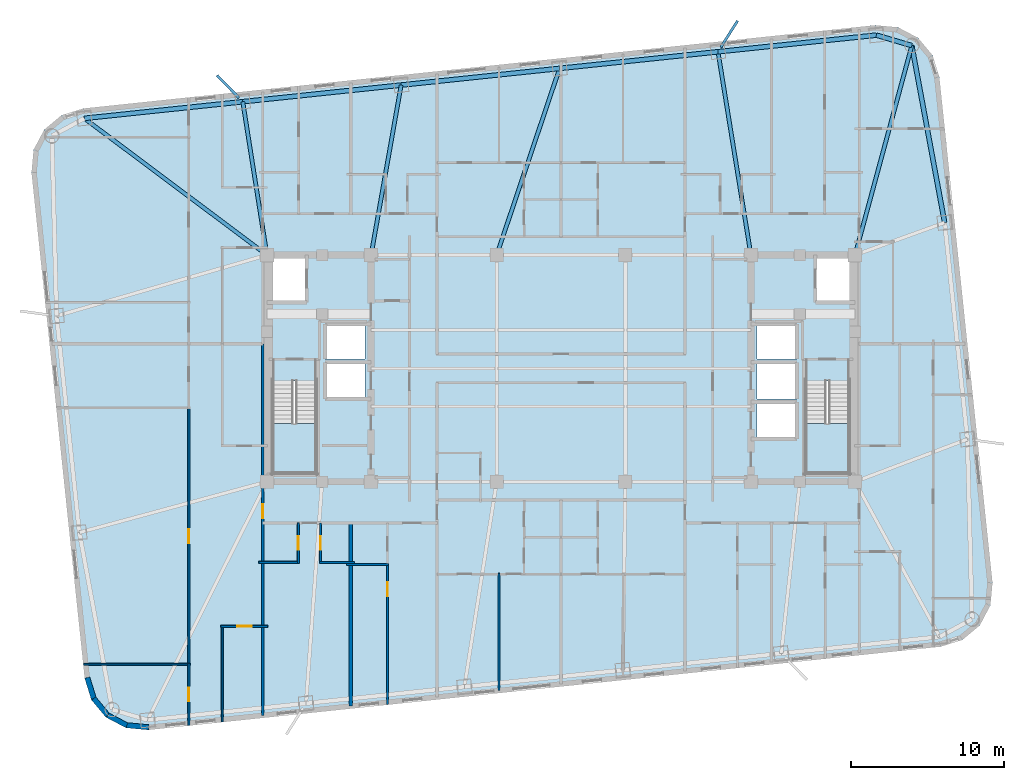
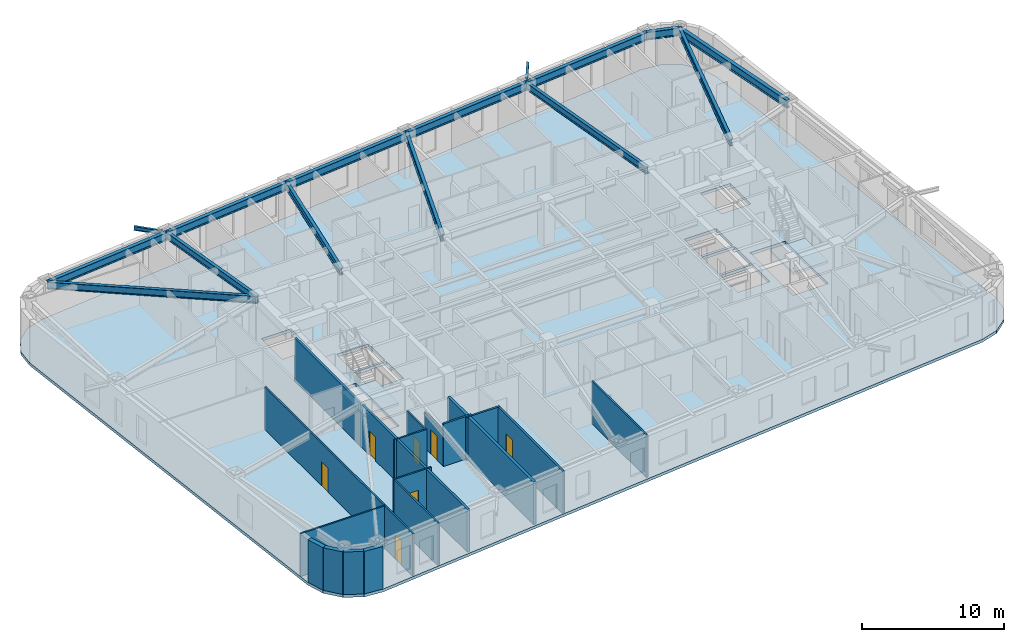
# One storey, part 2 of 12: 18 walls, 15 beams, 7 doors, 3 slabs, 7 openings, 2 elements without a shape of their own.
"""IFC4 building model written with IfcOpenShell, lengths in metres."""

from ifc_helpers import new_model, si_unit, direction, frame, frame_2d, origin, origin_2d, place, context, subcontext, project, spatial, polyline, rectangle, i_section, outline, extrude, material, layer, layer_set, material_profile, profile_set, type_object, element, fill, aggregate, save


model = new_model("IFC4")

# Units and contexts
model_context = context("Model", 3, precision=1e-05, world=origin(), true_north=direction((0.0, 1.0)))
body_context = subcontext(model_context, "Body", "Model", "MODEL_VIEW")
ifc_project = project(units=[si_unit("LENGTHUNIT", "METRE"), si_unit("AREAUNIT", "SQUARE_METRE"), si_unit("VOLUMEUNIT", "CUBIC_METRE"), si_unit("PLANEANGLEUNIT", "RADIAN"), si_unit("MASSUNIT", "GRAM", prefix="KILO")], contexts=[model_context])

# Site, building, storey
site_placement = place(None, origin())
site = spatial("IfcSite", under=ifc_project, at=site_placement, CompositionType="ELEMENT")
building_placement = place(site_placement, origin())
building = spatial("IfcBuilding", under=site, at=building_placement, Name="Voryun Gate Residences", CompositionType="ELEMENT")
storey_placement = place(building_placement, frame((0.0, 0.0, 167.699951171875)))
storey = spatial("IfcBuildingStorey", under=building, at=storey_placement, Name="L41", CompositionType="ELEMENT", Elevation=167.699951171875)

# Beams
ifc_material_1 = material(Name="Steel SM355", Category="steel")
ifc_material_profile_1 = material_profile(ifc_material_1, i_section(OverallWidth=0.169921875, OverallDepth=0.340087890625, WebThickness=0.008056640625, FlangeThickness=0.013916015625, FilletRadius=0.01806640625, at=origin_2d()), Name="H-340x170x8x14")
ifc_profile_set_1 = profile_set([ifc_material_profile_1], Name="Steel SM355")
beam_type_1 = type_object("IfcBeamType", Name="BM_BALC_EDGE", PredefinedType="JOIST", material=ifc_profile_set_1)
beam_1_placement = place(storey_placement, frame((10.437255859375, 20.96826171875, 3.47998046875), z_axis=(0.534391732666, 0.845236934864, 0.0), x_axis=(-0.845236934864, 0.534391732666, 0.0)))
element("IfcBeam", 1, at=beam_1_placement, inside=storey, type_object=beam_type_1, Name="BM-L41-BALBRK-N2", PredefinedType="JOIST", context=body_context, shape_type="SweptSolid", body=[
    extrude(i_section(OverallWidth=0.169921875, OverallDepth=0.340087890625, WebThickness=0.008056640625, FlangeThickness=0.013916015625, FilletRadius=0.01806640625, at=origin_2d()), origin(), (0.0, 0.0, 1.0), 2.0498046875),
])
beam_2_placement = place(storey_placement, frame((-21.0234375, 17.66162109375, 3.47998046875), z_axis=(-0.698480097279, 0.715629480741, 0.0), x_axis=(-0.715629480741, -0.698480097279, 0.0)))
element("IfcBeam", 2, at=beam_2_placement, inside=storey, type_object=beam_type_1, Name="BM-L41-BALBRK-N5", PredefinedType="JOIST", context=body_context, shape_type="SweptSolid", body=[
    extrude(i_section(OverallWidth=0.169921875, OverallDepth=0.340087890625, WebThickness=0.008056640625, FlangeThickness=0.013916015625, FilletRadius=0.01806640625, at=origin_2d()), origin(), (0.0, 0.0, 1.0), 2.050048828125),
])
ifc_material_2 = material(Name="Steel SM355", Category="steel")
ifc_material_profile_2 = material_profile(ifc_material_2, i_section(OverallWidth=0.300048828125, OverallDepth=0.679931640625, WebThickness=0.013916015625, FlangeThickness=0.02490234375, FilletRadius=0.01806640625, at=origin_2d()), Name="H-680x300x14x25")
ifc_profile_set_2 = profile_set([ifc_material_profile_2], Name="Steel SM355")
beam_type_2 = type_object("IfcBeamType", Name="BM_EXO_SPANDREL_M", PredefinedType="SPANDREL", material=ifc_profile_set_2)
beam_3_placement = place(storey_placement, frame((25.047119140625, 9.51806640625, 3.31005859375), z_axis=(-0.182267768769, 0.983248931079, 0.0), x_axis=(-0.983248931079, -0.182267768769, 0.0)))
element("IfcBeam", 3, at=beam_3_placement, inside=storey, type_object=beam_type_2, Name="BM-L41-SPAND-09", PredefinedType="SPANDREL", context=body_context, shape_type="SweptSolid", body=[
    extrude(i_section(OverallWidth=0.300048828125, OverallDepth=0.679931640625, WebThickness=0.013916015625, FlangeThickness=0.02490234375, FilletRadius=0.01806640625, at=origin_2d()), origin(), (0.0, 0.0, 1.0), 11.753662109375),
])
beam_4_placement = place(storey_placement, frame((22.90478515625, 21.074951171875, 3.31005859375), z_axis=(-0.958843048967, 0.283936625758, 0.0), x_axis=(-0.283936625758, -0.958843048967, 0.0)))
element("IfcBeam", 4, at=beam_4_placement, inside=storey, type_object=beam_type_2, Name="BM-L41-SPAND-10", PredefinedType="SPANDREL", context=body_context, shape_type="SweptSolid", body=[
    extrude(i_section(OverallWidth=0.300048828125, OverallDepth=0.679931640625, WebThickness=0.013916015625, FlangeThickness=0.02490234375, FilletRadius=0.01806640625, at=origin_2d()), origin(), (0.0, 0.0, 1.0), 2.410888671875),
])
for number, where, z_axis, x_axis, name in (
    (5, (20.593017578125, 21.759521484375, 3.31005859375), (-0.994521263116, -0.104534478571, 0.0), (0.104534478571, -0.994521263116, 0.0), "BM-L41-SPAND-11"),
    (6, (10.25, 20.67236328125, 3.31005859375), (-0.99452370336, -0.10451125994, 0.0), (0.10451125994, -0.99452370336, 0.0), "BM-L41-SPAND-12"),
    (7, (-0.093017578125, 19.58544921875, 3.31005859375), (-0.994521263116, -0.104534478571, 0.0), (0.104534478571, -0.994521263116, 0.0), "BM-L41-SPAND-13"),
    (8, (-10.43603515625, 18.498291015625, 3.31005859375), (-0.994521263116, -0.104534478571, 0.0), (0.104534478571, -0.994521263116, 0.0), "BM-L41-SPAND-14"),
    (9, (-20.779052734375, 17.4111328125, 3.31005859375), (-0.994521263116, -0.104534478571, 0.0), (0.104534478571, -0.994521263116, 0.0), "BM-L41-SPAND-15"),
):
    element("IfcBeam", number, at=place(storey_placement, frame(where, z_axis=z_axis, x_axis=x_axis)), inside=storey, type_object=beam_type_2, Name=name, PredefinedType="SPANDREL", context=body_context, shape_type="SweptSolid", body=[
        extrude(i_section(OverallWidth=0.300048828125, OverallDepth=0.679931640625, WebThickness=0.013916015625, FlangeThickness=0.02490234375, FilletRadius=0.01806640625, at=origin_2d()), origin(), (0.0, 0.0, 1.0), 10.39990234375),
    ])
ifc_material_3 = material(Name="Steel SM355", Category="steel")
ifc_material_profile_3 = material_profile(ifc_material_3, i_section(OverallWidth=0.25, OverallDepth=0.60009765625, WebThickness=0.011962890625, FlangeThickness=0.02197265625, FilletRadius=0.01806640625, at=origin_2d()), Name="H-600x250x12x22")
ifc_profile_set_3 = profile_set([ifc_material_profile_3], Name="Steel SM355")
beam_type_3 = type_object("IfcBeamType", Name="BM_GIRD_600", PredefinedType="USERDEFINED", material=ifc_profile_set_3)
beam_5_placement = place(storey_placement, frame((19.199951171875, 7.39990234375, 3.35009765625), z_axis=(0.261492735838, 0.965205443988, 0.0), x_axis=(-0.965205443988, 0.261492735838, 0.0)))
element("IfcBeam", 10, at=beam_5_placement, inside=storey, type_object=beam_type_3, Name="BM-L41-RAD-CNE", ObjectType="GIRDER", PredefinedType="USERDEFINED", context=body_context, shape_type="SweptSolid", body=[
    extrude(i_section(OverallWidth=0.25, OverallDepth=0.60009765625, WebThickness=0.011962890625, FlangeThickness=0.02197265625, FilletRadius=0.01806640625, at=origin_2d()), origin(), (0.0, 0.0, 1.0), 14.16796875),
])
beam_6_placement = place(storey_placement, frame((12.39990234375, 7.39990234375, 3.35009765625), z_axis=(-0.159898055533, 0.987133532931, 0.0), x_axis=(-0.987133532931, -0.159898055533, 0.0)))
element("IfcBeam", 11, at=beam_6_placement, inside=storey, type_object=beam_type_3, Name="BM-L41-RAD-N2", ObjectType="GIRDER", PredefinedType="USERDEFINED", context=body_context, shape_type="SweptSolid", body=[
    extrude(i_section(OverallWidth=0.25, OverallDepth=0.60009765625, WebThickness=0.011962890625, FlangeThickness=0.02197265625, FilletRadius=0.01806640625, at=origin_2d()), origin(), (0.0, 0.0, 1.0), 13.445556640625),
])
beam_7_placement = place(storey_placement, frame((-4.199951171875, 7.39990234375, 3.35009765625), z_axis=(0.319381479956, 0.947626229197, 0.0), x_axis=(-0.947626229197, 0.319381479956, 0.0)))
element("IfcBeam", 12, at=beam_7_placement, inside=storey, type_object=beam_type_3, Name="BM-L41-RAD-N3", ObjectType="GIRDER", PredefinedType="USERDEFINED", context=body_context, shape_type="SweptSolid", body=[
    extrude(i_section(OverallWidth=0.25, OverallDepth=0.60009765625, WebThickness=0.011962890625, FlangeThickness=0.02197265625, FilletRadius=0.01806640625, at=origin_2d()), origin(), (0.0, 0.0, 1.0), 12.859130859375),
])
beam_8_placement = place(storey_placement, frame((-12.39990234375, 7.39990234375, 3.35009765625), z_axis=(0.174243764839, 0.984702549207, 0.0), x_axis=(-0.984702549207, 0.174243764839, 0.0)))
element("IfcBeam", 13, at=beam_8_placement, inside=storey, type_object=beam_type_3, Name="BM-L41-RAD-N4", ObjectType="GIRDER", PredefinedType="USERDEFINED", context=body_context, shape_type="SweptSolid", body=[
    extrude(i_section(OverallWidth=0.25, OverallDepth=0.60009765625, WebThickness=0.011962890625, FlangeThickness=0.02197265625, FilletRadius=0.01806640625, at=origin_2d()), origin(), (0.0, 0.0, 1.0), 11.270751953125),
])
beam_9_placement = place(storey_placement, frame((-19.199951171875, 7.39990234375, 3.35009765625), z_axis=(-0.155806710133, 0.987787562727, 0.0), x_axis=(-0.987787562727, -0.155806710133, 0.0)))
element("IfcBeam", 14, at=beam_9_placement, inside=storey, type_object=beam_type_3, Name="BM-L41-RAD-N5", ObjectType="GIRDER", PredefinedType="USERDEFINED", context=body_context, shape_type="SweptSolid", body=[
    extrude(i_section(OverallWidth=0.25, OverallDepth=0.60009765625, WebThickness=0.011962890625, FlangeThickness=0.02197265625, FilletRadius=0.01806640625, at=origin_2d()), origin(), (0.0, 0.0, 1.0), 10.135009765625),
])
beam_10_placement = place(storey_placement, frame((-19.199951171875, 7.39990234375, 3.35009765625), z_axis=(-0.800564252374, 0.599246925583, 0.0), x_axis=(-0.599246925583, -0.800564252374, 0.0)))
element("IfcBeam", 15, at=beam_10_placement, inside=storey, type_object=beam_type_3, Name="BM-L41-RAD-N6", ObjectType="GIRDER", PredefinedType="USERDEFINED", context=body_context, shape_type="SweptSolid", body=[
    extrude(i_section(OverallWidth=0.25, OverallDepth=0.60009765625, WebThickness=0.011962890625, FlangeThickness=0.02197265625, FilletRadius=0.01806640625, at=origin_2d()), origin(), (0.0, 0.0, 1.0), 14.89208984375),
])

# Slab
ifc_material_4 = material(Name="Concrete C40/50", Category="concrete")
ifc_layer_1 = layer(ifc_material_4, 0.25, Name="SLB_RES_250")
ifc_layer_set_1 = layer_set([ifc_layer_1], Name="Concrete C40/50")
slab_type_1 = type_object("IfcSlabType", Name="SLB_RES_250", PredefinedType="FLOOR", material=ifc_layer_set_1)
slab_1_placement = place(storey_placement, frame((0.0, 0.0, -0.25)))
element("IfcSlab", 16, at=slab_1_placement, inside=storey, type_object=slab_type_1, Name="L41 Structural Floor Slab", PredefinedType="FLOOR", context=body_context, shape_type="SweptSolid", body=[
    extrude(outline(polyline([(-26.92529296875, -23.60595703125), (-28.401611328125, -23.47021484375), (-29.7138671875, -22.780029296875), (-30.661865234375, -21.639892578125), (-31.1015625, -20.22412109375), (-34.572021484375, 12.794189453125), (-34.436279296875, 14.2705078125), (-33.745849609375, 15.582763671875), (-32.60595703125, 16.53076171875), (-31.18994140625, 16.970458984375), (20.525146484375, 22.406005859375), (22.001708984375, 22.270263671875), (23.313720703125, 21.580078125), (24.261962890625, 20.43994140625), (24.70166015625, 19.02392578125), (28.171875, -13.994140625), (28.036376953125, -15.470458984375), (27.345947265625, -16.78271484375), (26.2060546875, -17.730712890625), (24.7900390625, -18.17041015625), (-26.92529296875, -23.60595703125)]), holes=[polyline([(-15.97509765625, -6.85009765625), (-15.97509765625, -0.840087890625), (-18.824951171875, -0.840087890625), (-18.824951171875, -6.85009765625), (-15.97509765625, -6.85009765625)]), polyline([(18.824951171875, -6.85009765625), (18.824951171875, -0.840087890625), (15.97509765625, -0.840087890625), (15.97509765625, -6.85009765625), (18.824951171875, -6.85009765625)]), polyline([(15.39990234375, -2.199951171875), (12.800048828125, -2.199951171875), (12.800048828125, -4.60009765625), (15.39990234375, -4.60009765625), (15.39990234375, -2.199951171875)]), polyline([(-12.800048828125, 0.39990234375), (-15.39990234375, 0.39990234375), (-15.39990234375, -2.0), (-12.800048828125, -2.0), (-12.800048828125, 0.39990234375)]), polyline([(15.39990234375, 0.39990234375), (12.800048828125, 0.39990234375), (12.800048828125, -2.0), (15.39990234375, -2.0), (15.39990234375, 0.39990234375)]), polyline([(-12.800048828125, 2.89990234375), (-15.39990234375, 2.89990234375), (-15.39990234375, 0.60009765625), (-12.800048828125, 0.60009765625), (-12.800048828125, 2.89990234375)]), polyline([(15.39990234375, 2.89990234375), (12.800048828125, 2.89990234375), (12.800048828125, 0.60009765625), (15.39990234375, 0.60009765625), (15.39990234375, 2.89990234375)]), polyline([(-16.60009765625, 4.300048828125), (-16.60009765625, 7.199951171875), (-19.0, 7.199951171875), (-19.0, 4.300048828125), (-16.60009765625, 4.300048828125)]), polyline([(19.0, 4.300048828125), (19.0, 7.199951171875), (16.60009765625, 7.199951171875), (16.60009765625, 4.300048828125), (19.0, 4.300048828125)])]), origin(), (0.0, 0.0, 1.0), 0.25),
])

# Stair, slab
ifc_material_5 = material(Name="Concrete C40/50", Category="concrete")
stair_type = type_object("IfcStairType", Name="STR_CORE_DOGLEG_1350", PredefinedType="HALF_TURN_STAIR", material=ifc_material_5)
stair_1_placement = place(storey_placement, origin())
stair_1 = element("IfcStair", 17, at=stair_1_placement, inside=storey, type_object=stair_type, Name="L41 Special Escape Stair ST-W1", PredefinedType="HALF_TURN_STAIR")
ifc_material_6 = material(Name="Concrete C40/50", Category="concrete")
ifc_layer_2 = layer(ifc_material_6, 0.199951171875, Name="SLB_STAIR_LANDING_200")
ifc_layer_set_2 = layer_set([ifc_layer_2], Name="Concrete C40/50")
slab_type_2 = type_object("IfcSlabType", Name="SLB_STAIR_LANDING_200", PredefinedType="LANDING", material=ifc_layer_set_2)
slab_2_placement = place(storey_placement, frame((0.0, 0.0, 1.75)))
slab_2 = element("IfcSlab", 18, at=slab_2_placement, type_object=slab_type_2, Name="ST-W1 landing 1", PredefinedType="LANDING", context=body_context, shape_type="SweptSolid", body=[
    extrude(outline(polyline([(-18.824951171875, -3.60009765625), (-18.824951171875, -6.85009765625), (-15.97509765625, -6.85009765625), (-15.97509765625, -3.60009765625), (-18.824951171875, -3.60009765625)])), origin(), (0.0, 0.0, 1.0), 0.199951171875),
])
aggregate(stair_1, [slab_2])

stair_2_placement = place(storey_placement, origin())
stair_2 = element("IfcStair", 19, at=stair_2_placement, inside=storey, type_object=stair_type, Name="L41 Special Escape Stair ST-E1", PredefinedType="HALF_TURN_STAIR")
slab_3_placement = place(storey_placement, frame((0.0, 0.0, 1.75)))
slab_3 = element("IfcSlab", 20, at=slab_3_placement, type_object=slab_type_2, Name="ST-E1 landing 1", PredefinedType="LANDING", context=body_context, shape_type="SweptSolid", body=[
    extrude(outline(polyline([(15.97509765625, -3.60009765625), (15.97509765625, -6.85009765625), (18.824951171875, -6.85009765625), (18.824951171875, -3.60009765625), (15.97509765625, -3.60009765625)])), origin(), (0.0, 0.0, 1.0), 0.199951171875),
])
aggregate(stair_2, [slab_3])

# Wall, opening, door
ifc_material_7 = material(Name="Gypsum acoustic fireboard")
ifc_layer_3 = layer(ifc_material_7, 0.179931640625, Name="W_CORR_RATED_180")
ifc_layer_set_3 = layer_set([ifc_layer_3], Name="Gypsum acoustic fireboard")
wall_type_1 = type_object("IfcWallType", Name="W_CORR_RATED_180", PredefinedType="PARTITIONING", material=ifc_layer_set_3)
wall_1_placement = place(storey_placement, frame((-19.469970703125, -22.651611328125, 0.0), z_axis=(0.0, 0.0, 1.0), x_axis=(0.0, 1.0, 0.0)))
wall_1 = element("IfcWall", 21, at=wall_1_placement, inside=storey, type_object=wall_type_1, Name="Partition wall WP-L41-WCOR1", PredefinedType="PARTITIONING", context=body_context, shape_type="SweptSolid", body=[
    extrude(rectangle(XDim=24.251708984375, YDim=0.179931640625, at=frame_2d((12.1259765625, 0.0))), origin(), (0.0, 0.0, 1.0), 3.650146484375),
])
opening_1_placement = place(wall_1_placement, frame((12.871337890625, 0.0, 0.0)))
opening_1 = element("IfcOpeningElement", 22, at=opening_1_placement, cuts=wall_1, Name="Opening D-INT-2", PredefinedType="OPENING", context=body_context, shape_type="SweptSolid", body=[
    extrude(rectangle(XDim=0.89990234375, YDim=2.050048828125, at=frame_2d((0.449951171875, 1.02490234375))), frame((0.0, 0.099853515625, 0.0), z_axis=(0.0, -1.0, 0.0), x_axis=(1.0, 0.0, 0.0)), (0.0, 0.0, 1.0), 0.199951171875),
])
ifc_material_8 = material(Name="Architectural oak veneer")
door_type_1 = type_object("IfcDoorType", Name="DR_INT_BATH_900", OperationType="NOTDEFINED", PredefinedType="DOOR", material=ifc_material_8)
door_1_placement = place(opening_1_placement, origin())
door_1 = element("IfcDoor", 23, at=door_1_placement, inside=storey, type_object=door_type_1, Name="Door DR-L41-WE1", OperationType="SINGLE_SWING_LEFT", OverallHeight=2.050048828125, OverallWidth=0.89990234375, PredefinedType="DOOR", context=body_context, shape_type="SweptSolid", body=[
    extrude(rectangle(XDim=0.89990234375, YDim=2.050048828125, at=frame_2d((0.449951171875, 1.02490234375))), frame((0.0, 0.02490234375, 0.0), z_axis=(0.0, -1.0, 0.0), x_axis=(1.0, 0.0, 0.0)), (0.0, 0.0, 1.0), 0.050048828125),
])
fill(opening_1, door_1)

# Walls
ifc_material_9 = material(Name="Charcoal terracotta masonry", Category="masonry")
ifc_layer_4 = layer(ifc_material_9, 0.340087890625, Name="W_EXT_TERRACOTTA_340")
ifc_layer_set_4 = layer_set([ifc_layer_4], Name="Charcoal terracotta masonry")
wall_type_2 = type_object("IfcWallType", Name="W_EXT_TERRACOTTA_340", PredefinedType="ELEMENTEDWALL", material=ifc_layer_set_4)
wall_2_placement = place(storey_placement, frame((-26.92626953125, -23.435302734375, 0.0), z_axis=(0.0, 0.0, 1.0), x_axis=(-0.995800460351, 0.091550222087, 0.0)))
element("IfcWall", 24, at=wall_2_placement, inside=storey, type_object=wall_type_2, Name="Exterior wall WEXT-L41-02", PredefinedType="ELEMENTEDWALL", context=body_context, shape_type="SweptSolid", body=[
    extrude(rectangle(XDim=1.43212890625, YDim=0.340087890625, at=frame_2d((0.716064453125, 0.0))), origin(), (0.0, 0.0, 1.0), 3.650146484375),
])
wall_3_placement = place(storey_placement, frame((-28.352294921875, -23.30419921875, 0.0), z_axis=(0.0, 0.0, 1.0), x_axis=(-0.884989312682, 0.465611336243, 0.0)))
element("IfcWall", 25, at=wall_3_placement, inside=storey, type_object=wall_type_2, Name="Exterior wall WEXT-L41-03", PredefinedType="ELEMENTEDWALL", context=body_context, shape_type="SweptSolid", body=[
    extrude(rectangle(XDim=1.415283203125, YDim=0.340087890625, at=frame_2d((0.70751953125, 0.0))), origin(), (0.0, 0.0, 1.0), 3.650146484375),
])
wall_4_placement = place(storey_placement, frame((-29.604736328125, -22.645263671875, 0.0), z_axis=(0.0, 0.0, 1.0), x_axis=(-0.639437361921, 0.768843196093, 0.0)))
element("IfcWall", 26, at=wall_4_placement, inside=storey, type_object=wall_type_2, Name="Exterior wall WEXT-L41-04", PredefinedType="ELEMENTEDWALL", context=body_context, shape_type="SweptSolid", body=[
    extrude(rectangle(XDim=1.4150390625, YDim=0.340087890625, at=frame_2d((0.70751953125, 0.0))), origin(), (0.0, 0.0, 1.0), 3.650146484375),
])
wall_5_placement = place(storey_placement, frame((-30.509521484375, -21.557373046875, 0.0), z_axis=(0.0, 0.0, 1.0), x_axis=(-0.296624409546, 0.9549942197, 0.0)))
element("IfcWall", 27, at=wall_5_placement, inside=storey, type_object=wall_type_2, Name="Exterior wall WEXT-L41-05", PredefinedType="ELEMENTEDWALL", context=body_context, shape_type="SweptSolid", body=[
    extrude(rectangle(XDim=1.43212890625, YDim=0.340087890625, at=frame_2d((0.716064453125, 0.0))), origin(), (0.0, 0.0, 1.0), 3.650146484375),
])
ifc_material_10 = material(Name="Concrete C40/50", Category="concrete")
ifc_layer_5 = layer(ifc_material_10, 0.219970703125, Name="W_PARTY_ACOUSTIC_220")
ifc_layer_set_5 = layer_set([ifc_layer_5], Name="Concrete C40/50")
wall_type_3 = type_object("IfcWallType", Name="W_PARTY_ACOUSTIC_220", PredefinedType="PARTITIONING", material=ifc_layer_set_5)
wall_6_placement = place(storey_placement, frame((-13.739990234375, -22.04931640625, 0.0), z_axis=(0.0, 0.0, 1.0), x_axis=(0.0, 1.0, 0.0)))
element("IfcWall", 28, at=wall_6_placement, inside=storey, type_object=wall_type_3, Name="Partition wall WP-L41-SPTY-1", PredefinedType="PARTITIONING", context=body_context, shape_type="SweptSolid", body=[
    extrude(rectangle(XDim=12.029296875, YDim=0.219970703125, at=frame_2d((6.0146484375, 0.0))), origin(), (0.0, 0.0, 1.0), 3.650146484375),
])

# Wall, opening, door
ifc_material_11 = material(Name="Gypsum acoustic partition")
ifc_layer_6 = layer(ifc_material_11, 0.125, Name="W_UNIT_PART_125")
ifc_layer_set_6 = layer_set([ifc_layer_6], Name="Gypsum acoustic partition")
wall_type_4 = type_object("IfcWallType", Name="W_UNIT_PART_125", PredefinedType="PARTITIONING", material=ifc_layer_set_6)
wall_7_placement = place(storey_placement, frame((-17.14990234375, -12.72998046875, 0.0), z_axis=(0.0, 0.0, 1.0), x_axis=(0.0, 1.0, 0.0)))
wall_7 = element("IfcWall", 29, at=wall_7_placement, inside=storey, type_object=wall_type_4, Name="Partition wall WP-L41-S1-CVK", PredefinedType="PARTITIONING", context=body_context, shape_type="SweptSolid", body=[
    extrude(rectangle(XDim=2.64990234375, YDim=0.125, at=frame_2d((1.324951171875, 0.0))), origin(), (0.0, 0.0, 1.0), 3.650146484375),
])
opening_2_placement = place(wall_7_placement, frame((0.875, 0.0, 0.0)))
opening_2 = element("IfcOpeningElement", 30, at=opening_2_placement, cuts=wall_7, Name="Opening D-INT-2", PredefinedType="OPENING", context=body_context, shape_type="SweptSolid", body=[
    extrude(rectangle(XDim=0.89990234375, YDim=2.050048828125, at=frame_2d((0.449951171875, 1.02490234375))), frame((0.0, 0.072509765625, 0.0), z_axis=(0.0, -1.0, 0.0), x_axis=(1.0, 0.0, 0.0)), (0.0, 0.0, 1.0), 0.14501953125),
])
door_2_placement = place(opening_2_placement, origin())
door_2 = element("IfcDoor", 31, at=door_2_placement, inside=storey, type_object=door_type_1, Name="Door DR-L41-S1-DK", OperationType="SINGLE_SWING_LEFT", OverallHeight=2.050048828125, OverallWidth=0.89990234375, PredefinedType="DOOR", context=body_context, shape_type="SweptSolid", body=[
    extrude(rectangle(XDim=0.89990234375, YDim=2.050048828125, at=frame_2d((0.449951171875, 1.02490234375))), frame((0.0, 0.02490234375, 0.0), z_axis=(0.0, -1.0, 0.0), x_axis=(1.0, 0.0, 0.0)), (0.0, 0.0, 1.0), 0.050048828125),
])
fill(opening_2, door_2)

# Walls
wall_8_placement = place(storey_placement, frame((-19.719970703125, -12.669921875, 0.0), z_axis=(0.0, 0.0, 1.0), x_axis=(1.0, 0.0, 0.0)))
element("IfcWall", 32, at=wall_8_placement, inside=storey, type_object=wall_type_4, Name="Partition wall WP-L41-S1-CHK", PredefinedType="PARTITIONING", context=body_context, shape_type="SweptSolid", body=[
    extrude(rectangle(XDim=2.6298828125, YDim=0.125, at=frame_2d((1.31494140625, 0.0))), origin(), (0.0, 0.0, 1.0), 3.650146484375),
])
wall_9_placement = place(storey_placement, frame((-4.050048828125, -21.03076171875, 0.0), z_axis=(0.0, 0.0, 1.0), x_axis=(0.0, 1.0, 0.0)))
element("IfcWall", 33, at=wall_9_placement, inside=storey, type_object=wall_type_4, Name="Partition wall WP-L41-SC1-VBD", PredefinedType="PARTITIONING", context=body_context, shape_type="SweptSolid", body=[
    extrude(rectangle(XDim=7.640869140625, YDim=0.125, at=frame_2d((3.8203125, 0.0))), origin(), (0.0, 0.0, 1.0), 3.650146484375),
])
wall_10_placement = place(storey_placement, frame((-31.176513671875, -19.320068359375, 0.0), z_axis=(0.0, 0.0, 1.0), x_axis=(1.0, 0.0, 0.0)))
element("IfcWall", 34, at=wall_10_placement, inside=storey, type_object=wall_type_4, Name="Partition wall WP-L41-W1-OH1", PredefinedType="PARTITIONING", context=body_context, shape_type="SweptSolid", body=[
    extrude(rectangle(XDim=6.95654296875, YDim=0.125, at=frame_2d((3.478271484375, 0.0))), origin(), (0.0, 0.0, 1.0), 3.650146484375),
])

# Wall, opening, door
wall_11_placement = place(storey_placement, frame((-24.300048828125, -23.31005859375, 0.0), z_axis=(0.0, 0.0, 1.0), x_axis=(0.0, 1.0, 0.0)))
wall_11 = element("IfcWall", 35, at=wall_11_placement, inside=storey, type_object=wall_type_4, Name="Partition wall WP-L41-W1-OVX1", PredefinedType="PARTITIONING", context=body_context, shape_type="SweptSolid", body=[
    extrude(rectangle(XDim=4.0400390625, YDim=0.125, at=frame_2d((2.02001953125, 0.0))), origin(), (0.0, 0.0, 1.0), 3.650146484375),
])
opening_3_placement = place(wall_11_placement, frame((1.570068359375, 0.0, 0.0)))
opening_3 = element("IfcOpeningElement", 36, at=opening_3_placement, cuts=wall_11, Name="Opening D-INT-2", PredefinedType="OPENING", context=body_context, shape_type="SweptSolid", body=[
    extrude(rectangle(XDim=0.89990234375, YDim=2.050048828125, at=frame_2d((0.449951171875, 1.02490234375))), frame((0.0, 0.072509765625, 0.0), z_axis=(0.0, -1.0, 0.0), x_axis=(1.0, 0.0, 0.0)), (0.0, 0.0, 1.0), 0.14501953125),
])
door_3_placement = place(opening_3_placement, origin())
door_3 = element("IfcDoor", 37, at=door_3_placement, inside=storey, type_object=door_type_1, Name="Door DR-L41-W1-DBD2", OperationType="SINGLE_SWING_LEFT", OverallHeight=2.050048828125, OverallWidth=0.89990234375, PredefinedType="DOOR", context=body_context, shape_type="SweptSolid", body=[
    extrude(rectangle(XDim=0.89990234375, YDim=2.050048828125, at=frame_2d((0.449951171875, 1.02490234375))), frame((0.0, 0.02490234375, 0.0), z_axis=(0.0, -1.0, 0.0), x_axis=(1.0, 0.0, 0.0)), (0.0, 0.0, 1.0), 0.050048828125),
])
fill(opening_3, door_3)

wall_12_placement = place(storey_placement, frame((-24.300048828125, -19.3701171875, 0.0), z_axis=(0.0, 0.0, 1.0), x_axis=(0.0, 1.0, 0.0)))
wall_12 = element("IfcWall", 38, at=wall_12_placement, inside=storey, type_object=wall_type_4, Name="Partition wall WP-L41-W1-OVX2", PredefinedType="PARTITIONING", context=body_context, shape_type="SweptSolid", body=[
    extrude(rectangle(XDim=16.838134765625, YDim=0.125, at=frame_2d((8.4189453125, 0.0))), origin(), (0.0, 0.0, 1.0), 3.650146484375),
])
opening_4_placement = place(wall_12_placement, frame((7.968994140625, 0.0, 0.0)))
opening_4 = element("IfcOpeningElement", 39, at=opening_4_placement, cuts=wall_12, Name="Opening D-INT-2", PredefinedType="OPENING", context=body_context, shape_type="SweptSolid", body=[
    extrude(rectangle(XDim=0.89990234375, YDim=2.050048828125, at=frame_2d((0.449951171875, 1.02490234375))), frame((0.0, 0.072509765625, 0.0), z_axis=(0.0, -1.0, 0.0), x_axis=(1.0, 0.0, 0.0)), (0.0, 0.0, 1.0), 0.14501953125),
])
door_4_placement = place(opening_4_placement, origin())
door_4 = element("IfcDoor", 40, at=door_4_placement, inside=storey, type_object=door_type_1, Name="Door DR-L41-W1-DSTD", OperationType="SINGLE_SWING_RIGHT", OverallHeight=2.050048828125, OverallWidth=0.89990234375, PredefinedType="DOOR", context=body_context, shape_type="SweptSolid", body=[
    extrude(rectangle(XDim=0.89990234375, YDim=2.050048828125, at=frame_2d((0.449951171875, 1.02490234375))), frame((0.0, 0.02490234375, 0.0), z_axis=(0.0, -1.0, 0.0), x_axis=(1.0, 0.0, 0.0)), (0.0, 0.0, 1.0), 0.050048828125),
])
fill(opening_4, door_4)

wall_13_placement = place(storey_placement, frame((-22.199951171875, -16.842041015625, 0.0), z_axis=(0.0, 0.0, 1.0), x_axis=(1.0, 0.0, 0.0)))
wall_13 = element("IfcWall", 41, at=wall_13_placement, inside=storey, type_object=wall_type_4, Name="Partition wall WP-L41-W1-IKA", PredefinedType="PARTITIONING", context=body_context, shape_type="SweptSolid", body=[
    extrude(rectangle(XDim=3.050048828125, YDim=0.125, at=frame_2d((1.52490234375, 0.0))), origin(), (0.0, 0.0, 1.0), 3.650146484375),
])
opening_5_placement = place(wall_13_placement, frame((1.050048828125, 0.0, 0.0)))
opening_5 = element("IfcOpeningElement", 42, at=opening_5_placement, cuts=wall_13, Name="Opening D-INT-1", PredefinedType="OPENING", context=body_context, shape_type="SweptSolid", body=[
    extrude(rectangle(XDim=0.949951171875, YDim=2.050048828125, at=frame_2d((0.47509765625, 1.02490234375))), frame((0.0, 0.072509765625, 0.0), z_axis=(0.0, -1.0, 0.0), x_axis=(1.0, 0.0, 0.0)), (0.0, 0.0, 1.0), 0.14501953125),
])
ifc_material_12 = material(Name="Architectural oak veneer")
door_type_2 = type_object("IfcDoorType", Name="DR_INT_ROOM_950", OperationType="NOTDEFINED", PredefinedType="DOOR", material=ifc_material_12)
door_5_placement = place(opening_5_placement, origin())
door_5 = element("IfcDoor", 43, at=door_5_placement, inside=storey, type_object=door_type_2, Name="Door DR-L41-W1-DK", OperationType="SINGLE_SWING_LEFT", OverallHeight=2.050048828125, OverallWidth=0.949951171875, PredefinedType="DOOR", context=body_context, shape_type="SweptSolid", body=[
    extrude(rectangle(XDim=0.949951171875, YDim=2.050048828125, at=frame_2d((0.47509765625, 1.02490234375))), frame((0.0, 0.02490234375, 0.0), z_axis=(0.0, -1.0, 0.0), x_axis=(1.0, 0.0, 0.0)), (0.0, 0.0, 1.0), 0.050048828125),
])
fill(opening_5, door_5)

# Wall
wall_14_placement = place(storey_placement, frame((-22.1201171875, -23.080810546875, 0.0), z_axis=(0.0, 0.0, 1.0), x_axis=(0.0, 1.0, 0.0)))
element("IfcWall", 44, at=wall_14_placement, inside=storey, type_object=wall_type_4, Name="Partition wall WP-L41-W1-VTA", PredefinedType="PARTITIONING", context=body_context, shape_type="SweptSolid", body=[
    extrude(rectangle(XDim=6.31884765625, YDim=0.125, at=frame_2d((3.159423828125, 0.0))), origin(), (0.0, 0.0, 1.0), 3.650146484375),
])

# Wall, opening, door
ifc_material_13 = material(Name="Gypsum moisture-resistant partition")
ifc_layer_7 = layer(ifc_material_13, 0.14990234375, Name="W_WET_PLUMB_150")
ifc_layer_set_7 = layer_set([ifc_layer_7], Name="Gypsum moisture-resistant partition")
wall_type_5 = type_object("IfcWallType", Name="W_WET_PLUMB_150", PredefinedType="PLUMBINGWALL", material=ifc_layer_set_7)
wall_15_placement = place(storey_placement, frame((-15.7041015625, -12.72998046875, 0.0), z_axis=(0.0, 0.0, 1.0), x_axis=(0.0, 1.0, 0.0)))
wall_15 = element("IfcWall", 45, at=wall_15_placement, inside=storey, type_object=wall_type_5, Name="Partition wall WP-L41-S1-CVB", PredefinedType="PLUMBINGWALL", context=body_context, shape_type="SweptSolid", body=[
    extrude(rectangle(XDim=2.64990234375, YDim=0.14990234375, at=frame_2d((1.324951171875, 0.0))), origin(), (0.0, 0.0, 1.0), 3.0400390625),
])
opening_6_placement = place(wall_15_placement, frame((0.875, 0.0, 0.0)))
opening_6 = element("IfcOpeningElement", 46, at=opening_6_placement, cuts=wall_15, Name="Opening D-INT-2", PredefinedType="OPENING", context=body_context, shape_type="SweptSolid", body=[
    extrude(rectangle(XDim=0.89990234375, YDim=2.050048828125, at=frame_2d((0.449951171875, 1.02490234375))), frame((0.0, 0.0849609375, 0.0), z_axis=(0.0, -1.0, 0.0), x_axis=(1.0, 0.0, 0.0)), (0.0, 0.0, 1.0), 0.169921875),
])
door_6_placement = place(opening_6_placement, origin())
door_6 = element("IfcDoor", 47, at=door_6_placement, inside=storey, type_object=door_type_1, Name="Door DR-L41-S1-DB", OperationType="SINGLE_SWING_RIGHT", OverallHeight=2.050048828125, OverallWidth=0.89990234375, PredefinedType="DOOR", context=body_context, shape_type="SweptSolid", body=[
    extrude(rectangle(XDim=0.89990234375, YDim=2.050048828125, at=frame_2d((0.449951171875, 1.02490234375))), frame((0.0, 0.02490234375, 0.0), z_axis=(0.0, -1.0, 0.0), x_axis=(1.0, 0.0, 0.0)), (0.0, 0.0, 1.0), 0.050048828125),
])
fill(opening_6, door_6)

# Walls
wall_16_placement = place(storey_placement, frame((-15.763916015625, -12.669921875, 0.0), z_axis=(0.0, 0.0, 1.0), x_axis=(1.0, 0.0, 0.0)))
element("IfcWall", 48, at=wall_16_placement, inside=storey, type_object=wall_type_5, Name="Partition wall WP-L41-S1-CHB", PredefinedType="PLUMBINGWALL", context=body_context, shape_type="SweptSolid", body=[
    extrude(rectangle(XDim=2.283935546875, YDim=0.14990234375, at=frame_2d((1.14208984375, 0.0))), origin(), (0.0, 0.0, 1.0), 3.650146484375),
])
wall_17_placement = place(storey_placement, frame((-14.0, -12.800048828125, 0.0), z_axis=(0.0, 0.0, 1.0), x_axis=(1.0, 0.0, 0.0)))
element("IfcWall", 49, at=wall_17_placement, inside=storey, type_object=wall_type_5, Name="Partition wall WP-L41-S2-SKB", PredefinedType="PLUMBINGWALL", context=body_context, shape_type="SweptSolid", body=[
    extrude(rectangle(XDim=2.7490234375, YDim=0.14990234375, at=frame_2d((1.37451171875, 0.0))), origin(), (0.0, 0.0, 1.0), 3.650146484375),
])

# Wall, opening, door
wall_18_placement = place(storey_placement, frame((-11.3310546875, -21.947021484375, 0.0), z_axis=(0.0, 0.0, 1.0), x_axis=(0.0, 1.0, 0.0)))
wall_18 = element("IfcWall", 50, at=wall_18_placement, inside=storey, type_object=wall_type_5, Name="Partition wall WP-L41-S2-SVT1", PredefinedType="PLUMBINGWALL", context=body_context, shape_type="SweptSolid", body=[
    extrude(rectangle(XDim=9.18701171875, YDim=0.14990234375, at=frame_2d((4.593505859375, 0.0))), origin(), (0.0, 0.0, 1.0), 3.650146484375),
])
opening_7_placement = place(wall_18_placement, frame((7.083251953125, 0.0, 0.0)))
opening_7 = element("IfcOpeningElement", 51, at=opening_7_placement, cuts=wall_18, Name="Opening D-INT-2", PredefinedType="OPENING", context=body_context, shape_type="SweptSolid", body=[
    extrude(rectangle(XDim=0.89990234375, YDim=2.050048828125, at=frame_2d((0.449951171875, 1.02490234375))), frame((0.0, 0.0849609375, 0.0), z_axis=(0.0, -1.0, 0.0), x_axis=(1.0, 0.0, 0.0)), (0.0, 0.0, 1.0), 0.169921875),
])
door_7_placement = place(opening_7_placement, origin())
door_7 = element("IfcDoor", 52, at=door_7_placement, inside=storey, type_object=door_type_1, Name="Door DR-L41-S2-DK", OperationType="SINGLE_SWING_LEFT", OverallHeight=2.050048828125, OverallWidth=0.89990234375, PredefinedType="DOOR", context=body_context, shape_type="SweptSolid", body=[
    extrude(rectangle(XDim=0.89990234375, YDim=2.050048828125, at=frame_2d((0.449951171875, 1.02490234375))), frame((0.0, 0.02490234375, 0.0), z_axis=(0.0, -1.0, 0.0), x_axis=(1.0, 0.0, 0.0)), (0.0, 0.0, 1.0), 0.050048828125),
])
fill(opening_7, door_7)

save(model, "model.ifc")
